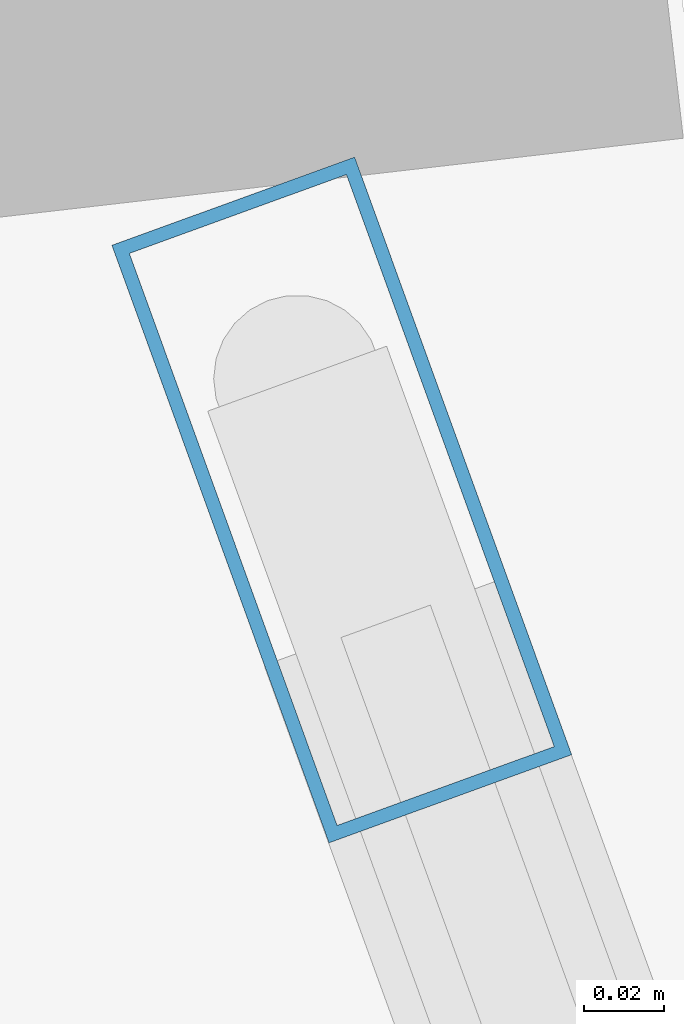
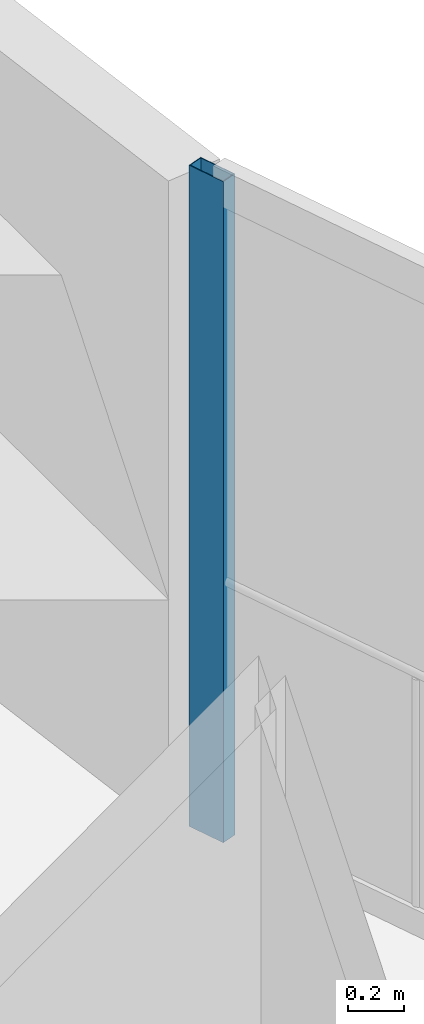
# One storey, part 2 of 20: 1 member, 1 element without a shape of its own.
"""IFC4 building model written with IfcOpenShell, lengths in metres."""

from ifc_helpers import new_model, si_unit, direction, frame, origin, origin_2d, place, context, subcontext, project, spatial, hollow_rectangle, extrude, material, layer, layer_set, material_profile, profile_set, type_object, element, aggregate, save


model = new_model("IFC4")

# Units and contexts
model_context = context("Model", 3, precision=1e-05, world=origin(), true_north=direction((0.0, 1.0)))
body_context = subcontext(model_context, "Body", "Model", "MODEL_VIEW")
ifc_project = project(units=[si_unit("LENGTHUNIT", "METRE"), si_unit("AREAUNIT", "SQUARE_METRE"), si_unit("VOLUMEUNIT", "CUBIC_METRE"), si_unit("PLANEANGLEUNIT", "RADIAN"), si_unit("MASSUNIT", "GRAM", prefix="KILO")], contexts=[model_context])

# Site, building, storey
site_placement = place(None, origin())
site = spatial("IfcSite", under=ifc_project, at=site_placement, CompositionType="ELEMENT")
building_placement = place(site_placement, origin())
building = spatial("IfcBuilding", under=site, at=building_placement, Name="Solvane Sanctuary Tower", CompositionType="ELEMENT")
storey_placement = place(building_placement, frame((0.0, 0.0, 137.39990234375)))
storey = spatial("IfcBuildingStorey", under=building, at=storey_placement, Name="L41", CompositionType="ELEMENT", Elevation=137.39990234375)

# Curtain wall, member
ifc_material = material(Name="Anodised Aluminium 6063-T6", Category="aluminium")
ifc_layer = layer(ifc_material, 0.199951171875, Name="Anodised Aluminium 6063-T6")
ifc_layer_set = layer_set([ifc_layer], Name="Anodised Aluminium 6063-T6")
curtain_wall_type = type_object("IfcCurtainWallType", Name="Curtain Wall CW-WELL", PredefinedType="NOTDEFINED", material=ifc_layer_set)
curtain_wall_placement = place(storey_placement, origin())
curtain_wall = element("IfcCurtainWall", 1, at=curtain_wall_placement, inside=storey, type_object=curtain_wall_type, Name="L41 Light-Well Glazed Curtain Wall 13", PredefinedType="NOTDEFINED")
ifc_material_profile = material_profile(ifc_material, hollow_rectangle(XDim=0.06494140625, YDim=0.159912109375, WallThickness=0.00341796875, at=origin_2d()), Name="ALU160X65X3.5")
ifc_profile_set = profile_set([ifc_material_profile], Name="Anodised Aluminium 6063-T6")
member_type = type_object("IfcMemberType", Name="Member M-CW-MUL-2 ALU160X65X3.5", PredefinedType="MULLION", material=ifc_profile_set)
member_placement = place(storey_placement, frame((25.15087890625, 20.82080078125, 0.0), z_axis=(0.0, 0.0, 1.0), x_axis=(0.939933181429, 0.341358483781, 0.0)))
member = element("IfcMember", 2, at=member_placement, type_object=member_type, Name="CW-WELL mullion 1", PredefinedType="MULLION", context=body_context, shape_type="SweptSolid", body=[
    extrude(hollow_rectangle(XDim=0.06494140625, YDim=0.159912109375, WallThickness=0.00341796875, at=origin_2d()), origin(), (0.0, 0.0, 1.0), 2.880126953125),
])
aggregate(curtain_wall, [member])

save(model, "model.ifc")
